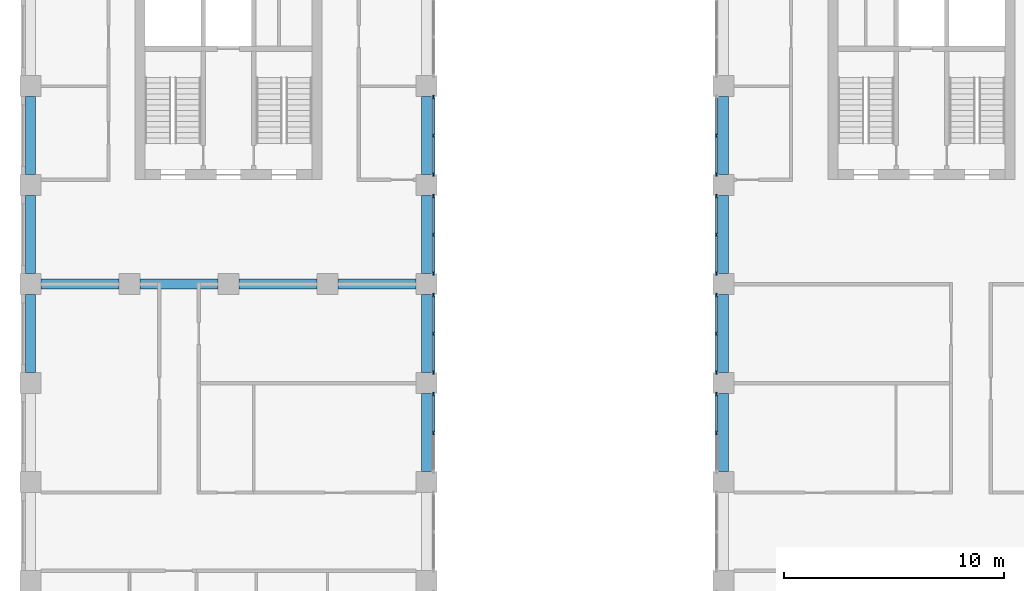
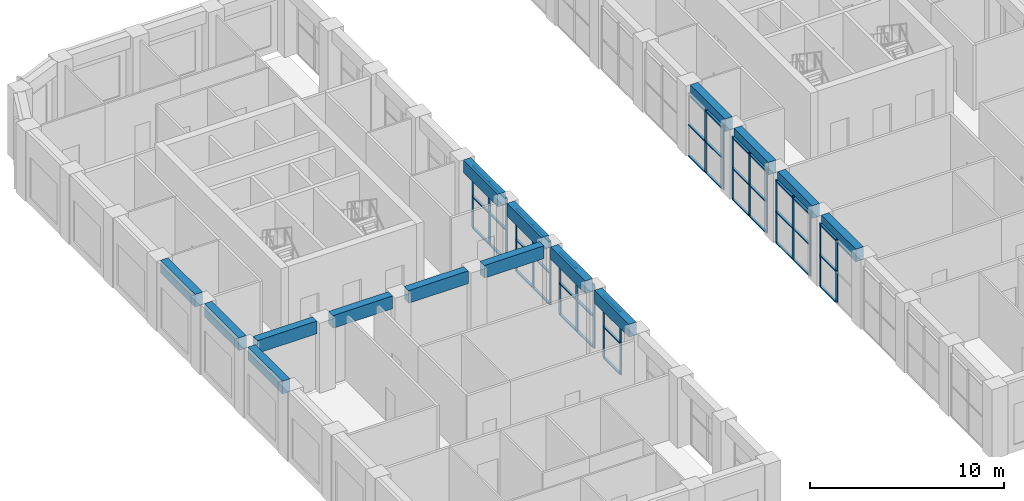
# One storey, part 3 of 19: 62 members, 15 beams, 8 elements without a shape of their own.
"""IFC4 building model written with IfcOpenShell, lengths in metres."""

import ifcopenshell
import ifcopenshell.guid

model = None  # the IFC model being written
_history = None  # IfcOwnerHistory: only IFC2X3 demands one
_inside = {}  # id of a spatial element -> (the spatial element, [elements in it])
_under = {}  # id of a project, library or spatial element -> (it, [spatial elements below it])
_declared = {}  # id of a project -> (the project, [libraries it declares])
_typed = {}  # id of a type object -> (the type object, [elements of that type])
_made_of = {}  # id of a material, layer set ... -> (it, [elements and type objects made of it])


def new_model(schema):
    """Start an empty IFC model of exactly this schema.

    Asked for "IFC4X3", IfcOpenShell would pick the latest addendum, in which some entities
    have other attributes; the version numbers below select the first issue.
    IFC2X3 requires an IfcOwnerHistory on every rooted entity: one is made here for all.
    """
    global model, _history
    if schema == "IFC4X3":
        model = ifcopenshell.file(schema_version=(4, 3, 0, 0))
    else:
        model = ifcopenshell.file(schema=schema)
    _inside.clear()
    _under.clear()
    _declared.clear()
    _typed.clear()
    _made_of.clear()
    _history = None
    if model.schema == "IFC2X3":
        org = make("IfcOrganization", Name="unknown")
        user = make(
            "IfcPersonAndOrganization",
            ThePerson=make("IfcPerson", FamilyName="unknown"),
            TheOrganization=org,
        )
        app = make(
            "IfcApplication",
            ApplicationDeveloper=org,
            Version="unknown",
            ApplicationFullName="unknown",
            ApplicationIdentifier="unknown",
        )
        _history = make(
            "IfcOwnerHistory",
            OwningUser=user,
            OwningApplication=app,
            ChangeAction="ADDED",
            CreationDate=0,
        )
    return model


def make(cls, **values):
    """One entity of the class cls with the attributes given. An attribute that is None is left unset."""
    return model.create_entity(
        cls, **{name: value for name, value in values.items() if value is not None}
    )


def rooted(cls, **values):
    """An entity with a GlobalId (a new one), such as an element, a storey or a relation."""
    return make(cls, GlobalId=ifcopenshell.guid.new(), OwnerHistory=_history, **values)


def si_unit(unit_type, name, prefix=None):
    """IfcSIUnit, for example si_unit("LENGTHUNIT", "METRE", prefix="MILLI")."""
    return make("IfcSIUnit", UnitType=unit_type, Prefix=prefix, Name=name)


def assignment(units):
    """IfcUnitAssignment: the units of a project."""
    return None if units is None else make("IfcUnitAssignment", Units=units)


def point(xyz):
    """IfcCartesianPoint."""
    return None if xyz is None else make("IfcCartesianPoint", Coordinates=xyz)


def direction(xyz):
    """IfcDirection."""
    return None if xyz is None else make("IfcDirection", DirectionRatios=xyz)


def frame(location, z_axis=None, x_axis=None):
    """IfcAxis2Placement3D, a coordinate frame: its origin and axes. An axis left out is left unset."""
    return make(
        "IfcAxis2Placement3D",
        Location=point(location),
        Axis=direction(z_axis),
        RefDirection=direction(x_axis),
    )


def frame_2d(location, x_axis=None):
    """IfcAxis2Placement2D, a coordinate frame in the plane: its origin and x axis."""
    return make(
        "IfcAxis2Placement2D", Location=point(location), RefDirection=direction(x_axis)
    )


def origin():
    """The frame at (0, 0, 0) with its axes left unset."""
    return frame((0.0, 0.0, 0.0))


def origin_2d():
    """The frame at (0, 0) in the plane with its x axis left unset."""
    return frame_2d((0.0, 0.0))


def place(relative_to, where):
    """IfcLocalPlacement: puts the frame where relative to a parent placement (None: the world)."""
    return make(
        "IfcLocalPlacement", PlacementRelTo=relative_to, RelativePlacement=where
    )


def context(
    kind, dimensions, precision=None, world=None, true_north=None, identifier=None
):
    """IfcGeometricRepresentationContext, for example the 3D "Model" context."""
    return make(
        "IfcGeometricRepresentationContext",
        ContextIdentifier=identifier,
        ContextType=kind,
        CoordinateSpaceDimension=dimensions,
        Precision=precision,
        WorldCoordinateSystem=world,
        TrueNorth=true_north,
    )


def subcontext(parent, identifier, kind, view, scale=None):
    """IfcGeometricRepresentationSubContext, for example "Body" below "Model"."""
    return make(
        "IfcGeometricRepresentationSubContext",
        ContextIdentifier=identifier,
        ContextType=kind,
        ParentContext=parent,
        TargetScale=scale,
        TargetView=view,
    )


def project(units=None, contexts=None):
    """IfcProject with its units and contexts."""
    return rooted(
        "IfcProject",
        Name="project",
        RepresentationContexts=contexts,
        UnitsInContext=assignment(units),
    )


def spatial(cls, under=None, at=None, **own):
    """A site, building, storey or space (cls), placed at a placement, below another one or the project."""
    s = rooted(cls, ObjectPlacement=at, **own)
    if under is not None:
        _under.setdefault(under.id(), (under, []))[1].append(s)
    return s


def profile(cls, at=None, kind="AREA", **sizes):
    """A parametric profile (cls). Its sizes go by their IFC names, for example OverallWidth=200.0."""
    return make(cls, ProfileType=kind, Position=at, **sizes)


def rectangle(**sizes):
    """IfcRectangleProfileDef."""
    return profile("IfcRectangleProfileDef", **sizes)


def extrude(swept, where, along, depth):
    """IfcExtrudedAreaSolid: the profile swept, set in the frame where, extruded along a direction by depth."""
    return make(
        "IfcExtrudedAreaSolid",
        SweptArea=swept,
        Position=where,
        ExtrudedDirection=direction(along),
        Depth=depth,
    )


def shape(context_of_items, identifier, shape_type, items):
    """IfcShapeRepresentation: the items that make up one representation, for example the "Body"."""
    return make(
        "IfcShapeRepresentation",
        ContextOfItems=context_of_items,
        RepresentationIdentifier=identifier,
        RepresentationType=shape_type,
        Items=items,
    )


def material(Name=None, Category=None):
    """IfcMaterial."""
    return make("IfcMaterial", Name=Name, Category=Category)


def material_profile(
    of_material, cross_section, Name=None, Category=None, Priority=None
):
    """IfcMaterialProfile: a cross section and its material."""
    return make(
        "IfcMaterialProfile",
        Name=Name,
        Material=of_material,
        Profile=cross_section,
        Priority=Priority,
        Category=Category,
    )


def profile_set(profiles, Name=None, composite=None):
    """IfcMaterialProfileSet."""
    return make(
        "IfcMaterialProfileSet",
        Name=Name,
        MaterialProfiles=profiles,
        CompositeProfile=composite,
    )


def made_of(thing, what):
    """Note that an element or type object is made of a material, layer set ...; save() writes the relation."""
    if what is not None:
        _made_of.setdefault(what.id(), (what, []))[1].append(thing)
    return thing


def type_object(cls, material=None, **own):
    """A type object (cls), such as IfcWallType, which elements share."""
    return made_of(rooted(cls, **own), material)


def element(
    cls,
    number,
    at=None,
    inside=None,
    cuts=None,
    type_object=None,
    material=None,
    context=None,
    identifier="Body",
    shape_type=None,
    held_by="IfcProductDefinitionShape",
    body=None,
    shapes=None,
    **own,
):
    """One element of the class cls, such as IfcWall. Its Tag is "e" and its number.

    at: its placement. inside: the storey or other place that contains it. cuts: it is an
    opening in that element (IfcRelVoidsElement). A single representation is given by context,
    identifier, shape_type and body (its items); several are given by shapes. held_by: the class
    of the entity that holds the representations. save() writes the other relations.
    """
    e = rooted(cls, Tag="e%d" % number, ObjectPlacement=at, **own)
    if body is not None:
        shapes = [shape(context, identifier, shape_type, body)]
    if shapes is not None:
        e.Representation = make(held_by, Representations=shapes)
    if inside is not None:
        _inside.setdefault(inside.id(), (inside, []))[1].append(e)
    if cuts is not None:
        rooted(
            "IfcRelVoidsElement", RelatingBuildingElement=cuts, RelatedOpeningElement=e
        )
    if type_object is not None:
        _typed.setdefault(type_object.id(), (type_object, []))[1].append(e)
    return made_of(e, material)


def aggregate(whole, parts):
    """IfcRelAggregates: a whole, such as a stair, and the parts it consists of."""
    return rooted("IfcRelAggregates", RelatingObject=whole, RelatedObjects=parts)


def save(model, path):
    """Write the relations noted so far, then the file.

    IfcRelAggregates (storeys below a building ...), IfcRelContainedInSpatialStructure (elements
    in a storey), IfcRelDefinesByType, IfcRelAssociatesMaterial and IfcRelDeclares: one each for
    every whole, place, type object, material and project.
    """
    for whole, parts in _under.values():
        aggregate(whole, parts)
    for where, things in _inside.values():
        rooted(
            "IfcRelContainedInSpatialStructure",
            RelatedElements=things,
            RelatingStructure=where,
        )
    for kind, things in _typed.values():
        rooted("IfcRelDefinesByType", RelatedObjects=things, RelatingType=kind)
    for what, things in _made_of.values():
        rooted("IfcRelAssociatesMaterial", RelatedObjects=things, RelatingMaterial=what)
    for by, libraries in _declared.values():
        rooted("IfcRelDeclares", RelatingContext=by, RelatedDefinitions=libraries)
    model.write(path)


model = new_model("IFC4")

# Units and contexts
model_context = context("Model", 3, precision=1e-05, world=origin(), true_north=direction((0.0, 1.0)))
body_context = subcontext(model_context, "Body", "Model", "MODEL_VIEW")
ifc_project = project(units=[si_unit("LENGTHUNIT", "METRE"), si_unit("AREAUNIT", "SQUARE_METRE"), si_unit("VOLUMEUNIT", "CUBIC_METRE"), si_unit("PLANEANGLEUNIT", "RADIAN"), si_unit("MASSUNIT", "GRAM", prefix="KILO")], contexts=[model_context])

# Site, building, storey
site_placement = place(None, origin())
site = spatial("IfcSite", under=ifc_project, at=site_placement, CompositionType="ELEMENT")
building_placement = place(site_placement, origin())
building = spatial("IfcBuilding", under=site, at=building_placement, Name="Girih Gate Residences", CompositionType="ELEMENT")
storey_placement = place(building_placement, frame((0.0, 0.0, 163.800048828125)))
storey = spatial("IfcBuildingStorey", under=building, at=storey_placement, Name="L45", CompositionType="ELEMENT", Elevation=163.800048828125)

# Curtain wall, members
ifc_material_1 = material(Name="Aluminium curtain wall frame", Category="aluminium")
curtain_wall_type = type_object("IfcCurtainWallType", Name="Curtain wall CW-7 portal lounge glazing", PredefinedType="NOTDEFINED", material=ifc_material_1)
curtain_wall_1_placement = place(storey_placement, origin())
curtain_wall_1 = element("IfcCurtainWall", 1, at=curtain_wall_1_placement, inside=storey, type_object=curtain_wall_type, Name="CW-7 Portal lounge glazing E0180_0000.3", PredefinedType="NOTDEFINED")
ifc_material_profile_1 = material_profile(ifc_material_1, rectangle(XDim=0.06005859375, YDim=0.179931640625, at=origin_2d()))
ifc_profile_set_1 = profile_set([ifc_material_profile_1], Name="Aluminium curtain wall frame")
member_type_1 = type_object("IfcMemberType", Name="Curtain wall mullion 60x180", PredefinedType="MULLION", material=ifc_profile_set_1)
member_1_placement = place(storey_placement, frame((18.31494140625, 15.75, 0.0), z_axis=(0.0, 0.0, 1.0), x_axis=(-1.0, 0.0, 0.0)))
member_1 = element("IfcMember", 2, at=member_1_placement, type_object=member_type_1, Name="CW-7 mullion 2", PredefinedType="MULLION", context=body_context, shape_type="SweptSolid", body=[
    extrude(rectangle(XDim=0.06005859375, YDim=0.179931640625, at=origin_2d()), origin(), (0.0, 0.0, 1.0), 3.949951171875),
])
member_2_placement = place(storey_placement, frame((18.31494140625, 17.4951171875, 0.0), z_axis=(0.0, 0.0, 1.0), x_axis=(-1.0, 0.0, 0.0)))
member_2 = element("IfcMember", 3, at=member_2_placement, type_object=member_type_1, Name="CW-7 mullion 3", PredefinedType="MULLION", context=body_context, shape_type="SweptSolid", body=[
    extrude(rectangle(XDim=0.06005859375, YDim=0.179931640625, at=origin_2d()), origin(), (0.0, 0.0, 1.0), 3.949951171875),
])

curtain_wall_2_placement = place(storey_placement, origin())
curtain_wall_2 = element("IfcCurtainWall", 4, at=curtain_wall_2_placement, inside=storey, type_object=curtain_wall_type, Name="CW-7 Portal lounge glazing E0180_0000.4", PredefinedType="NOTDEFINED")
member_3_placement = place(storey_placement, frame((18.31494140625, 18.5048828125, 0.0), z_axis=(0.0, 0.0, 1.0), x_axis=(-1.0, 0.0, 0.0)))
member_3 = element("IfcMember", 5, at=member_3_placement, type_object=member_type_1, Name="CW-7 mullion 1", PredefinedType="MULLION", context=body_context, shape_type="SweptSolid", body=[
    extrude(rectangle(XDim=0.06005859375, YDim=0.179931640625, at=origin_2d()), origin(), (0.0, 0.0, 1.0), 3.949951171875),
])
member_4_placement = place(storey_placement, frame((18.31494140625, 20.25, 0.0), z_axis=(0.0, 0.0, 1.0), x_axis=(-1.0, 0.0, 0.0)))
member_4 = element("IfcMember", 6, at=member_4_placement, type_object=member_type_1, Name="CW-7 mullion 2", PredefinedType="MULLION", context=body_context, shape_type="SweptSolid", body=[
    extrude(rectangle(XDim=0.06005859375, YDim=0.179931640625, at=origin_2d()), origin(), (0.0, 0.0, 1.0), 3.949951171875),
])
member_5_placement = place(storey_placement, frame((18.31494140625, 21.9951171875, 0.0), z_axis=(0.0, 0.0, 1.0), x_axis=(-1.0, 0.0, 0.0)))
member_5 = element("IfcMember", 7, at=member_5_placement, type_object=member_type_1, Name="CW-7 mullion 3", PredefinedType="MULLION", context=body_context, shape_type="SweptSolid", body=[
    extrude(rectangle(XDim=0.06005859375, YDim=0.179931640625, at=origin_2d()), origin(), (0.0, 0.0, 1.0), 3.949951171875),
])

curtain_wall_3_placement = place(storey_placement, origin())
curtain_wall_3 = element("IfcCurtainWall", 8, at=curtain_wall_3_placement, inside=storey, type_object=curtain_wall_type, Name="CW-7 Portal lounge glazing E0180_0000.5", PredefinedType="NOTDEFINED")
member_6_placement = place(storey_placement, frame((18.31494140625, 23.0048828125, 0.0), z_axis=(0.0, 0.0, 1.0), x_axis=(-1.0, 0.0, 0.0)))
member_6 = element("IfcMember", 9, at=member_6_placement, type_object=member_type_1, Name="CW-7 mullion 1", PredefinedType="MULLION", context=body_context, shape_type="SweptSolid", body=[
    extrude(rectangle(XDim=0.06005859375, YDim=0.179931640625, at=origin_2d()), origin(), (0.0, 0.0, 1.0), 3.949951171875),
])
member_7_placement = place(storey_placement, frame((18.31494140625, 24.75, 0.0), z_axis=(0.0, 0.0, 1.0), x_axis=(-1.0, 0.0, 0.0)))
member_7 = element("IfcMember", 10, at=member_7_placement, type_object=member_type_1, Name="CW-7 mullion 2", PredefinedType="MULLION", context=body_context, shape_type="SweptSolid", body=[
    extrude(rectangle(XDim=0.06005859375, YDim=0.179931640625, at=origin_2d()), origin(), (0.0, 0.0, 1.0), 3.949951171875),
])
member_8_placement = place(storey_placement, frame((18.31494140625, 26.4951171875, 0.0), z_axis=(0.0, 0.0, 1.0), x_axis=(-1.0, 0.0, 0.0)))
member_8 = element("IfcMember", 11, at=member_8_placement, type_object=member_type_1, Name="CW-7 mullion 3", PredefinedType="MULLION", context=body_context, shape_type="SweptSolid", body=[
    extrude(rectangle(XDim=0.06005859375, YDim=0.179931640625, at=origin_2d()), origin(), (0.0, 0.0, 1.0), 3.949951171875),
])

curtain_wall_4_placement = place(storey_placement, origin())
curtain_wall_4 = element("IfcCurtainWall", 12, at=curtain_wall_4_placement, inside=storey, type_object=curtain_wall_type, Name="CW-7 Portal lounge glazing E0180_0000.6", PredefinedType="NOTDEFINED")
member_9_placement = place(storey_placement, frame((18.31494140625, 27.5048828125, 0.0), z_axis=(0.0, 0.0, 1.0), x_axis=(-1.0, 0.0, 0.0)))
member_9 = element("IfcMember", 13, at=member_9_placement, type_object=member_type_1, Name="CW-7 mullion 1", PredefinedType="MULLION", context=body_context, shape_type="SweptSolid", body=[
    extrude(rectangle(XDim=0.06005859375, YDim=0.179931640625, at=origin_2d()), origin(), (0.0, 0.0, 1.0), 3.949951171875),
])
member_10_placement = place(storey_placement, frame((18.31494140625, 29.25, 0.0), z_axis=(0.0, 0.0, 1.0), x_axis=(-1.0, 0.0, 0.0)))
member_10 = element("IfcMember", 14, at=member_10_placement, type_object=member_type_1, Name="CW-7 mullion 2", PredefinedType="MULLION", context=body_context, shape_type="SweptSolid", body=[
    extrude(rectangle(XDim=0.06005859375, YDim=0.179931640625, at=origin_2d()), origin(), (0.0, 0.0, 1.0), 3.949951171875),
])
member_11_placement = place(storey_placement, frame((18.31494140625, 30.9951171875, 0.0), z_axis=(0.0, 0.0, 1.0), x_axis=(-1.0, 0.0, 0.0)))
member_11 = element("IfcMember", 15, at=member_11_placement, type_object=member_type_1, Name="CW-7 mullion 3", PredefinedType="MULLION", context=body_context, shape_type="SweptSolid", body=[
    extrude(rectangle(XDim=0.06005859375, YDim=0.179931640625, at=origin_2d()), origin(), (0.0, 0.0, 1.0), 3.949951171875),
])

curtain_wall_5_placement = place(storey_placement, origin())
curtain_wall_5 = element("IfcCurtainWall", 16, at=curtain_wall_5_placement, inside=storey, type_object=curtain_wall_type, Name="CW-7 Portal lounge glazing W0315_0495.4", PredefinedType="NOTDEFINED")
member_12_placement = place(storey_placement, frame((31.18505859375, 29.25, 0.0), z_axis=(0.0, 0.0, 1.0), x_axis=(1.0, 0.0, 0.0)))
member_12 = element("IfcMember", 17, at=member_12_placement, type_object=member_type_1, Name="CW-7 mullion 2", PredefinedType="MULLION", context=body_context, shape_type="SweptSolid", body=[
    extrude(rectangle(XDim=0.06005859375, YDim=0.179931640625, at=origin_2d()), origin(), (0.0, 0.0, 1.0), 3.949951171875),
])
member_13_placement = place(storey_placement, frame((31.18505859375, 27.5048828125, 0.0), z_axis=(0.0, 0.0, 1.0), x_axis=(1.0, 0.0, 0.0)))
member_13 = element("IfcMember", 18, at=member_13_placement, type_object=member_type_1, Name="CW-7 mullion 3", PredefinedType="MULLION", context=body_context, shape_type="SweptSolid", body=[
    extrude(rectangle(XDim=0.06005859375, YDim=0.179931640625, at=origin_2d()), origin(), (0.0, 0.0, 1.0), 3.949951171875),
])

curtain_wall_6_placement = place(storey_placement, origin())
curtain_wall_6 = element("IfcCurtainWall", 19, at=curtain_wall_6_placement, inside=storey, type_object=curtain_wall_type, Name="CW-7 Portal lounge glazing W0315_0495.5", PredefinedType="NOTDEFINED")
member_14_placement = place(storey_placement, frame((31.18505859375, 26.4951171875, 0.0), z_axis=(0.0, 0.0, 1.0), x_axis=(1.0, 0.0, 0.0)))
member_14 = element("IfcMember", 20, at=member_14_placement, type_object=member_type_1, Name="CW-7 mullion 1", PredefinedType="MULLION", context=body_context, shape_type="SweptSolid", body=[
    extrude(rectangle(XDim=0.06005859375, YDim=0.179931640625, at=origin_2d()), origin(), (0.0, 0.0, 1.0), 3.949951171875),
])
member_15_placement = place(storey_placement, frame((31.18505859375, 24.75, 0.0), z_axis=(0.0, 0.0, 1.0), x_axis=(1.0, 0.0, 0.0)))
member_15 = element("IfcMember", 21, at=member_15_placement, type_object=member_type_1, Name="CW-7 mullion 2", PredefinedType="MULLION", context=body_context, shape_type="SweptSolid", body=[
    extrude(rectangle(XDim=0.06005859375, YDim=0.179931640625, at=origin_2d()), origin(), (0.0, 0.0, 1.0), 3.949951171875),
])
member_16_placement = place(storey_placement, frame((31.18505859375, 23.0048828125, 0.0), z_axis=(0.0, 0.0, 1.0), x_axis=(1.0, 0.0, 0.0)))
member_16 = element("IfcMember", 22, at=member_16_placement, type_object=member_type_1, Name="CW-7 mullion 3", PredefinedType="MULLION", context=body_context, shape_type="SweptSolid", body=[
    extrude(rectangle(XDim=0.06005859375, YDim=0.179931640625, at=origin_2d()), origin(), (0.0, 0.0, 1.0), 3.949951171875),
])

curtain_wall_7_placement = place(storey_placement, origin())
curtain_wall_7 = element("IfcCurtainWall", 23, at=curtain_wall_7_placement, inside=storey, type_object=curtain_wall_type, Name="CW-7 Portal lounge glazing W0315_0495.6", PredefinedType="NOTDEFINED")
member_17_placement = place(storey_placement, frame((31.18505859375, 21.9951171875, 0.0), z_axis=(0.0, 0.0, 1.0), x_axis=(1.0, 0.0, 0.0)))
member_17 = element("IfcMember", 24, at=member_17_placement, type_object=member_type_1, Name="CW-7 mullion 1", PredefinedType="MULLION", context=body_context, shape_type="SweptSolid", body=[
    extrude(rectangle(XDim=0.06005859375, YDim=0.179931640625, at=origin_2d()), origin(), (0.0, 0.0, 1.0), 3.949951171875),
])
member_18_placement = place(storey_placement, frame((31.18505859375, 20.25, 0.0), z_axis=(0.0, 0.0, 1.0), x_axis=(1.0, 0.0, 0.0)))
member_18 = element("IfcMember", 25, at=member_18_placement, type_object=member_type_1, Name="CW-7 mullion 2", PredefinedType="MULLION", context=body_context, shape_type="SweptSolid", body=[
    extrude(rectangle(XDim=0.06005859375, YDim=0.179931640625, at=origin_2d()), origin(), (0.0, 0.0, 1.0), 3.949951171875),
])
member_19_placement = place(storey_placement, frame((31.18505859375, 18.5048828125, 0.0), z_axis=(0.0, 0.0, 1.0), x_axis=(1.0, 0.0, 0.0)))
member_19 = element("IfcMember", 26, at=member_19_placement, type_object=member_type_1, Name="CW-7 mullion 3", PredefinedType="MULLION", context=body_context, shape_type="SweptSolid", body=[
    extrude(rectangle(XDim=0.06005859375, YDim=0.179931640625, at=origin_2d()), origin(), (0.0, 0.0, 1.0), 3.949951171875),
])

curtain_wall_8_placement = place(storey_placement, origin())
curtain_wall_8 = element("IfcCurtainWall", 27, at=curtain_wall_8_placement, inside=storey, type_object=curtain_wall_type, Name="CW-7 Portal lounge glazing W0315_0495.7", PredefinedType="NOTDEFINED")
member_20_placement = place(storey_placement, frame((31.18505859375, 17.4951171875, 0.0), z_axis=(0.0, 0.0, 1.0), x_axis=(1.0, 0.0, 0.0)))
member_20 = element("IfcMember", 28, at=member_20_placement, type_object=member_type_1, Name="CW-7 mullion 1", PredefinedType="MULLION", context=body_context, shape_type="SweptSolid", body=[
    extrude(rectangle(XDim=0.06005859375, YDim=0.179931640625, at=origin_2d()), origin(), (0.0, 0.0, 1.0), 3.949951171875),
])
member_21_placement = place(storey_placement, frame((31.18505859375, 15.75, 0.0), z_axis=(0.0, 0.0, 1.0), x_axis=(1.0, 0.0, 0.0)))
member_21 = element("IfcMember", 29, at=member_21_placement, type_object=member_type_1, Name="CW-7 mullion 2", PredefinedType="MULLION", context=body_context, shape_type="SweptSolid", body=[
    extrude(rectangle(XDim=0.06005859375, YDim=0.179931640625, at=origin_2d()), origin(), (0.0, 0.0, 1.0), 3.949951171875),
])

# Member
ifc_material_profile_2 = material_profile(ifc_material_1, rectangle(XDim=0.139892578125, YDim=0.06005859375, at=origin_2d()))
ifc_profile_set_2 = profile_set([ifc_material_profile_2], Name="Aluminium curtain wall frame")
member_type_2 = type_object("IfcMemberType", Name="Curtain wall transom 60x140", PredefinedType="USERDEFINED", material=ifc_profile_set_2)
member_22_placement = place(storey_placement, frame((18.31494140625, 15.780029296875, 0.030029296875), z_axis=(0.0, 1.0, 0.0), x_axis=(-1.0, 0.0, 0.0)))
member_22 = element("IfcMember", 30, at=member_22_placement, type_object=member_type_2, Name="CW-7 transom 2.1", ObjectType="TRANSOM", PredefinedType="USERDEFINED", context=body_context, shape_type="SweptSolid", body=[
    extrude(rectangle(XDim=0.139892578125, YDim=0.06005859375, at=origin_2d()), origin(), (0.0, 0.0, 1.0), 1.68505859375),
])

member_23_placement = place(storey_placement, frame((18.31494140625, 15.780029296875, 1.974853515625), z_axis=(0.0, 1.0, 0.0), x_axis=(-1.0, 0.0, 0.0)))
member_23 = element("IfcMember", 31, at=member_23_placement, type_object=member_type_2, Name="CW-7 transom 2.2", ObjectType="TRANSOM", PredefinedType="USERDEFINED", context=body_context, shape_type="SweptSolid", body=[
    extrude(rectangle(XDim=0.139892578125, YDim=0.06005859375, at=origin_2d()), origin(), (0.0, 0.0, 1.0), 1.68505859375),
])

member_24_placement = place(storey_placement, frame((18.31494140625, 15.780029296875, 3.919921875), z_axis=(0.0, 1.0, 0.0), x_axis=(-1.0, 0.0, 0.0)))
member_24 = element("IfcMember", 32, at=member_24_placement, type_object=member_type_2, Name="CW-7 transom 2.3", ObjectType="TRANSOM", PredefinedType="USERDEFINED", context=body_context, shape_type="SweptSolid", body=[
    extrude(rectangle(XDim=0.139892578125, YDim=0.06005859375, at=origin_2d()), origin(), (0.0, 0.0, 1.0), 1.68505859375),
])

aggregate(curtain_wall_1, [member_1, member_2, member_22, member_23, member_24])

member_25_placement = place(storey_placement, frame((18.31494140625, 18.534912109375, 0.030029296875), z_axis=(0.0, 1.0, 0.0), x_axis=(-1.0, 0.0, 0.0)))
member_25 = element("IfcMember", 33, at=member_25_placement, type_object=member_type_2, Name="CW-7 transom 1.1", ObjectType="TRANSOM", PredefinedType="USERDEFINED", context=body_context, shape_type="SweptSolid", body=[
    extrude(rectangle(XDim=0.139892578125, YDim=0.06005859375, at=origin_2d()), origin(), (0.0, 0.0, 1.0), 1.68505859375),
])

member_26_placement = place(storey_placement, frame((18.31494140625, 18.534912109375, 1.974853515625), z_axis=(0.0, 1.0, 0.0), x_axis=(-1.0, 0.0, 0.0)))
member_26 = element("IfcMember", 34, at=member_26_placement, type_object=member_type_2, Name="CW-7 transom 1.2", ObjectType="TRANSOM", PredefinedType="USERDEFINED", context=body_context, shape_type="SweptSolid", body=[
    extrude(rectangle(XDim=0.139892578125, YDim=0.06005859375, at=origin_2d()), origin(), (0.0, 0.0, 1.0), 1.68505859375),
])

member_27_placement = place(storey_placement, frame((18.31494140625, 18.534912109375, 3.919921875), z_axis=(0.0, 1.0, 0.0), x_axis=(-1.0, 0.0, 0.0)))
member_27 = element("IfcMember", 35, at=member_27_placement, type_object=member_type_2, Name="CW-7 transom 1.3", ObjectType="TRANSOM", PredefinedType="USERDEFINED", context=body_context, shape_type="SweptSolid", body=[
    extrude(rectangle(XDim=0.139892578125, YDim=0.06005859375, at=origin_2d()), origin(), (0.0, 0.0, 1.0), 1.68505859375),
])

member_28_placement = place(storey_placement, frame((18.31494140625, 20.280029296875, 0.030029296875), z_axis=(0.0, 1.0, 0.0), x_axis=(-1.0, 0.0, 0.0)))
member_28 = element("IfcMember", 36, at=member_28_placement, type_object=member_type_2, Name="CW-7 transom 2.1", ObjectType="TRANSOM", PredefinedType="USERDEFINED", context=body_context, shape_type="SweptSolid", body=[
    extrude(rectangle(XDim=0.139892578125, YDim=0.06005859375, at=origin_2d()), origin(), (0.0, 0.0, 1.0), 1.68505859375),
])

member_29_placement = place(storey_placement, frame((18.31494140625, 20.280029296875, 1.974853515625), z_axis=(0.0, 1.0, 0.0), x_axis=(-1.0, 0.0, 0.0)))
member_29 = element("IfcMember", 37, at=member_29_placement, type_object=member_type_2, Name="CW-7 transom 2.2", ObjectType="TRANSOM", PredefinedType="USERDEFINED", context=body_context, shape_type="SweptSolid", body=[
    extrude(rectangle(XDim=0.139892578125, YDim=0.06005859375, at=origin_2d()), origin(), (0.0, 0.0, 1.0), 1.68505859375),
])

member_30_placement = place(storey_placement, frame((18.31494140625, 20.280029296875, 3.919921875), z_axis=(0.0, 1.0, 0.0), x_axis=(-1.0, 0.0, 0.0)))
member_30 = element("IfcMember", 38, at=member_30_placement, type_object=member_type_2, Name="CW-7 transom 2.3", ObjectType="TRANSOM", PredefinedType="USERDEFINED", context=body_context, shape_type="SweptSolid", body=[
    extrude(rectangle(XDim=0.139892578125, YDim=0.06005859375, at=origin_2d()), origin(), (0.0, 0.0, 1.0), 1.68505859375),
])

aggregate(curtain_wall_2, [member_3, member_4, member_5, member_25, member_26, member_27, member_28, member_29, member_30])

member_31_placement = place(storey_placement, frame((18.31494140625, 23.034912109375, 0.030029296875), z_axis=(0.0, 1.0, 0.0), x_axis=(-1.0, 0.0, 0.0)))
member_31 = element("IfcMember", 39, at=member_31_placement, type_object=member_type_2, Name="CW-7 transom 1.1", ObjectType="TRANSOM", PredefinedType="USERDEFINED", context=body_context, shape_type="SweptSolid", body=[
    extrude(rectangle(XDim=0.139892578125, YDim=0.06005859375, at=origin_2d()), origin(), (0.0, 0.0, 1.0), 1.68505859375),
])

member_32_placement = place(storey_placement, frame((18.31494140625, 23.034912109375, 1.974853515625), z_axis=(0.0, 1.0, 0.0), x_axis=(-1.0, 0.0, 0.0)))
member_32 = element("IfcMember", 40, at=member_32_placement, type_object=member_type_2, Name="CW-7 transom 1.2", ObjectType="TRANSOM", PredefinedType="USERDEFINED", context=body_context, shape_type="SweptSolid", body=[
    extrude(rectangle(XDim=0.139892578125, YDim=0.06005859375, at=origin_2d()), origin(), (0.0, 0.0, 1.0), 1.68505859375),
])

member_33_placement = place(storey_placement, frame((18.31494140625, 23.034912109375, 3.919921875), z_axis=(0.0, 1.0, 0.0), x_axis=(-1.0, 0.0, 0.0)))
member_33 = element("IfcMember", 41, at=member_33_placement, type_object=member_type_2, Name="CW-7 transom 1.3", ObjectType="TRANSOM", PredefinedType="USERDEFINED", context=body_context, shape_type="SweptSolid", body=[
    extrude(rectangle(XDim=0.139892578125, YDim=0.06005859375, at=origin_2d()), origin(), (0.0, 0.0, 1.0), 1.68505859375),
])

member_34_placement = place(storey_placement, frame((18.31494140625, 24.780029296875, 0.030029296875), z_axis=(0.0, 1.0, 0.0), x_axis=(-1.0, 0.0, 0.0)))
member_34 = element("IfcMember", 42, at=member_34_placement, type_object=member_type_2, Name="CW-7 transom 2.1", ObjectType="TRANSOM", PredefinedType="USERDEFINED", context=body_context, shape_type="SweptSolid", body=[
    extrude(rectangle(XDim=0.139892578125, YDim=0.06005859375, at=origin_2d()), origin(), (0.0, 0.0, 1.0), 1.68505859375),
])

member_35_placement = place(storey_placement, frame((18.31494140625, 24.780029296875, 1.974853515625), z_axis=(0.0, 1.0, 0.0), x_axis=(-1.0, 0.0, 0.0)))
member_35 = element("IfcMember", 43, at=member_35_placement, type_object=member_type_2, Name="CW-7 transom 2.2", ObjectType="TRANSOM", PredefinedType="USERDEFINED", context=body_context, shape_type="SweptSolid", body=[
    extrude(rectangle(XDim=0.139892578125, YDim=0.06005859375, at=origin_2d()), origin(), (0.0, 0.0, 1.0), 1.68505859375),
])

member_36_placement = place(storey_placement, frame((18.31494140625, 24.780029296875, 3.919921875), z_axis=(0.0, 1.0, 0.0), x_axis=(-1.0, 0.0, 0.0)))
member_36 = element("IfcMember", 44, at=member_36_placement, type_object=member_type_2, Name="CW-7 transom 2.3", ObjectType="TRANSOM", PredefinedType="USERDEFINED", context=body_context, shape_type="SweptSolid", body=[
    extrude(rectangle(XDim=0.139892578125, YDim=0.06005859375, at=origin_2d()), origin(), (0.0, 0.0, 1.0), 1.68505859375),
])

aggregate(curtain_wall_3, [member_6, member_7, member_8, member_31, member_32, member_33, member_34, member_35, member_36])

member_37_placement = place(storey_placement, frame((18.31494140625, 27.534912109375, 0.030029296875), z_axis=(0.0, 1.0, 0.0), x_axis=(-1.0, 0.0, 0.0)))
member_37 = element("IfcMember", 45, at=member_37_placement, type_object=member_type_2, Name="CW-7 transom 1.1", ObjectType="TRANSOM", PredefinedType="USERDEFINED", context=body_context, shape_type="SweptSolid", body=[
    extrude(rectangle(XDim=0.139892578125, YDim=0.06005859375, at=origin_2d()), origin(), (0.0, 0.0, 1.0), 1.68505859375),
])

member_38_placement = place(storey_placement, frame((18.31494140625, 27.534912109375, 1.974853515625), z_axis=(0.0, 1.0, 0.0), x_axis=(-1.0, 0.0, 0.0)))
member_38 = element("IfcMember", 46, at=member_38_placement, type_object=member_type_2, Name="CW-7 transom 1.2", ObjectType="TRANSOM", PredefinedType="USERDEFINED", context=body_context, shape_type="SweptSolid", body=[
    extrude(rectangle(XDim=0.139892578125, YDim=0.06005859375, at=origin_2d()), origin(), (0.0, 0.0, 1.0), 1.68505859375),
])

member_39_placement = place(storey_placement, frame((18.31494140625, 27.534912109375, 3.919921875), z_axis=(0.0, 1.0, 0.0), x_axis=(-1.0, 0.0, 0.0)))
member_39 = element("IfcMember", 47, at=member_39_placement, type_object=member_type_2, Name="CW-7 transom 1.3", ObjectType="TRANSOM", PredefinedType="USERDEFINED", context=body_context, shape_type="SweptSolid", body=[
    extrude(rectangle(XDim=0.139892578125, YDim=0.06005859375, at=origin_2d()), origin(), (0.0, 0.0, 1.0), 1.68505859375),
])

member_40_placement = place(storey_placement, frame((18.31494140625, 29.280029296875, 0.030029296875), z_axis=(0.0, 1.0, 0.0), x_axis=(-1.0, 0.0, 0.0)))
member_40 = element("IfcMember", 48, at=member_40_placement, type_object=member_type_2, Name="CW-7 transom 2.1", ObjectType="TRANSOM", PredefinedType="USERDEFINED", context=body_context, shape_type="SweptSolid", body=[
    extrude(rectangle(XDim=0.139892578125, YDim=0.06005859375, at=origin_2d()), origin(), (0.0, 0.0, 1.0), 1.68505859375),
])

member_41_placement = place(storey_placement, frame((18.31494140625, 29.280029296875, 1.974853515625), z_axis=(0.0, 1.0, 0.0), x_axis=(-1.0, 0.0, 0.0)))
member_41 = element("IfcMember", 49, at=member_41_placement, type_object=member_type_2, Name="CW-7 transom 2.2", ObjectType="TRANSOM", PredefinedType="USERDEFINED", context=body_context, shape_type="SweptSolid", body=[
    extrude(rectangle(XDim=0.139892578125, YDim=0.06005859375, at=origin_2d()), origin(), (0.0, 0.0, 1.0), 1.68505859375),
])

member_42_placement = place(storey_placement, frame((18.31494140625, 29.280029296875, 3.919921875), z_axis=(0.0, 1.0, 0.0), x_axis=(-1.0, 0.0, 0.0)))
member_42 = element("IfcMember", 50, at=member_42_placement, type_object=member_type_2, Name="CW-7 transom 2.3", ObjectType="TRANSOM", PredefinedType="USERDEFINED", context=body_context, shape_type="SweptSolid", body=[
    extrude(rectangle(XDim=0.139892578125, YDim=0.06005859375, at=origin_2d()), origin(), (0.0, 0.0, 1.0), 1.68505859375),
])

aggregate(curtain_wall_4, [member_9, member_10, member_11, member_37, member_38, member_39, member_40, member_41, member_42])

member_43_placement = place(storey_placement, frame((31.18505859375, 30.965087890625, 0.030029296875), z_axis=(0.0, -1.0, 0.0), x_axis=(1.0, 0.0, 0.0)))
member_43 = element("IfcMember", 51, at=member_43_placement, type_object=member_type_2, Name="CW-7 transom 1.1", ObjectType="TRANSOM", PredefinedType="USERDEFINED", context=body_context, shape_type="SweptSolid", body=[
    extrude(rectangle(XDim=0.139892578125, YDim=0.06005859375, at=origin_2d()), origin(), (0.0, 0.0, 1.0), 1.68505859375),
])

member_44_placement = place(storey_placement, frame((31.18505859375, 30.965087890625, 1.974853515625), z_axis=(0.0, -1.0, 0.0), x_axis=(1.0, 0.0, 0.0)))
member_44 = element("IfcMember", 52, at=member_44_placement, type_object=member_type_2, Name="CW-7 transom 1.2", ObjectType="TRANSOM", PredefinedType="USERDEFINED", context=body_context, shape_type="SweptSolid", body=[
    extrude(rectangle(XDim=0.139892578125, YDim=0.06005859375, at=origin_2d()), origin(), (0.0, 0.0, 1.0), 1.68505859375),
])

member_45_placement = place(storey_placement, frame((31.18505859375, 29.219970703125, 0.030029296875), z_axis=(0.0, -1.0, 0.0), x_axis=(1.0, 0.0, 0.0)))
member_45 = element("IfcMember", 53, at=member_45_placement, type_object=member_type_2, Name="CW-7 transom 2.1", ObjectType="TRANSOM", PredefinedType="USERDEFINED", context=body_context, shape_type="SweptSolid", body=[
    extrude(rectangle(XDim=0.139892578125, YDim=0.06005859375, at=origin_2d()), origin(), (0.0, 0.0, 1.0), 1.68505859375),
])

member_46_placement = place(storey_placement, frame((31.18505859375, 29.219970703125, 1.974853515625), z_axis=(0.0, -1.0, 0.0), x_axis=(1.0, 0.0, 0.0)))
member_46 = element("IfcMember", 54, at=member_46_placement, type_object=member_type_2, Name="CW-7 transom 2.2", ObjectType="TRANSOM", PredefinedType="USERDEFINED", context=body_context, shape_type="SweptSolid", body=[
    extrude(rectangle(XDim=0.139892578125, YDim=0.06005859375, at=origin_2d()), origin(), (0.0, 0.0, 1.0), 1.68505859375),
])

member_47_placement = place(storey_placement, frame((31.18505859375, 29.219970703125, 3.919921875), z_axis=(0.0, -1.0, 0.0), x_axis=(1.0, 0.0, 0.0)))
member_47 = element("IfcMember", 55, at=member_47_placement, type_object=member_type_2, Name="CW-7 transom 2.3", ObjectType="TRANSOM", PredefinedType="USERDEFINED", context=body_context, shape_type="SweptSolid", body=[
    extrude(rectangle(XDim=0.139892578125, YDim=0.06005859375, at=origin_2d()), origin(), (0.0, 0.0, 1.0), 1.68505859375),
])

aggregate(curtain_wall_5, [member_12, member_13, member_43, member_44, member_45, member_46, member_47])

member_48_placement = place(storey_placement, frame((31.18505859375, 26.465087890625, 0.030029296875), z_axis=(0.0, -1.0, 0.0), x_axis=(1.0, 0.0, 0.0)))
member_48 = element("IfcMember", 56, at=member_48_placement, type_object=member_type_2, Name="CW-7 transom 1.1", ObjectType="TRANSOM", PredefinedType="USERDEFINED", context=body_context, shape_type="SweptSolid", body=[
    extrude(rectangle(XDim=0.139892578125, YDim=0.06005859375, at=origin_2d()), origin(), (0.0, 0.0, 1.0), 1.68505859375),
])

member_49_placement = place(storey_placement, frame((31.18505859375, 26.465087890625, 1.974853515625), z_axis=(0.0, -1.0, 0.0), x_axis=(1.0, 0.0, 0.0)))
member_49 = element("IfcMember", 57, at=member_49_placement, type_object=member_type_2, Name="CW-7 transom 1.2", ObjectType="TRANSOM", PredefinedType="USERDEFINED", context=body_context, shape_type="SweptSolid", body=[
    extrude(rectangle(XDim=0.139892578125, YDim=0.06005859375, at=origin_2d()), origin(), (0.0, 0.0, 1.0), 1.68505859375),
])

member_50_placement = place(storey_placement, frame((31.18505859375, 26.465087890625, 3.919921875), z_axis=(0.0, -1.0, 0.0), x_axis=(1.0, 0.0, 0.0)))
member_50 = element("IfcMember", 58, at=member_50_placement, type_object=member_type_2, Name="CW-7 transom 1.3", ObjectType="TRANSOM", PredefinedType="USERDEFINED", context=body_context, shape_type="SweptSolid", body=[
    extrude(rectangle(XDim=0.139892578125, YDim=0.06005859375, at=origin_2d()), origin(), (0.0, 0.0, 1.0), 1.68505859375),
])

member_51_placement = place(storey_placement, frame((31.18505859375, 24.719970703125, 0.030029296875), z_axis=(0.0, -1.0, 0.0), x_axis=(1.0, 0.0, 0.0)))
member_51 = element("IfcMember", 59, at=member_51_placement, type_object=member_type_2, Name="CW-7 transom 2.1", ObjectType="TRANSOM", PredefinedType="USERDEFINED", context=body_context, shape_type="SweptSolid", body=[
    extrude(rectangle(XDim=0.139892578125, YDim=0.06005859375, at=origin_2d()), origin(), (0.0, 0.0, 1.0), 1.68505859375),
])

member_52_placement = place(storey_placement, frame((31.18505859375, 24.719970703125, 1.974853515625), z_axis=(0.0, -1.0, 0.0), x_axis=(1.0, 0.0, 0.0)))
member_52 = element("IfcMember", 60, at=member_52_placement, type_object=member_type_2, Name="CW-7 transom 2.2", ObjectType="TRANSOM", PredefinedType="USERDEFINED", context=body_context, shape_type="SweptSolid", body=[
    extrude(rectangle(XDim=0.139892578125, YDim=0.06005859375, at=origin_2d()), origin(), (0.0, 0.0, 1.0), 1.68505859375),
])

member_53_placement = place(storey_placement, frame((31.18505859375, 24.719970703125, 3.919921875), z_axis=(0.0, -1.0, 0.0), x_axis=(1.0, 0.0, 0.0)))
member_53 = element("IfcMember", 61, at=member_53_placement, type_object=member_type_2, Name="CW-7 transom 2.3", ObjectType="TRANSOM", PredefinedType="USERDEFINED", context=body_context, shape_type="SweptSolid", body=[
    extrude(rectangle(XDim=0.139892578125, YDim=0.06005859375, at=origin_2d()), origin(), (0.0, 0.0, 1.0), 1.68505859375),
])

aggregate(curtain_wall_6, [member_14, member_15, member_16, member_48, member_49, member_50, member_51, member_52, member_53])

member_54_placement = place(storey_placement, frame((31.18505859375, 21.965087890625, 0.030029296875), z_axis=(0.0, -1.0, 0.0), x_axis=(1.0, 0.0, 0.0)))
member_54 = element("IfcMember", 62, at=member_54_placement, type_object=member_type_2, Name="CW-7 transom 1.1", ObjectType="TRANSOM", PredefinedType="USERDEFINED", context=body_context, shape_type="SweptSolid", body=[
    extrude(rectangle(XDim=0.139892578125, YDim=0.06005859375, at=origin_2d()), origin(), (0.0, 0.0, 1.0), 1.68505859375),
])

member_55_placement = place(storey_placement, frame((31.18505859375, 21.965087890625, 1.974853515625), z_axis=(0.0, -1.0, 0.0), x_axis=(1.0, 0.0, 0.0)))
member_55 = element("IfcMember", 63, at=member_55_placement, type_object=member_type_2, Name="CW-7 transom 1.2", ObjectType="TRANSOM", PredefinedType="USERDEFINED", context=body_context, shape_type="SweptSolid", body=[
    extrude(rectangle(XDim=0.139892578125, YDim=0.06005859375, at=origin_2d()), origin(), (0.0, 0.0, 1.0), 1.68505859375),
])

member_56_placement = place(storey_placement, frame((31.18505859375, 21.965087890625, 3.919921875), z_axis=(0.0, -1.0, 0.0), x_axis=(1.0, 0.0, 0.0)))
member_56 = element("IfcMember", 64, at=member_56_placement, type_object=member_type_2, Name="CW-7 transom 1.3", ObjectType="TRANSOM", PredefinedType="USERDEFINED", context=body_context, shape_type="SweptSolid", body=[
    extrude(rectangle(XDim=0.139892578125, YDim=0.06005859375, at=origin_2d()), origin(), (0.0, 0.0, 1.0), 1.68505859375),
])

member_57_placement = place(storey_placement, frame((31.18505859375, 20.219970703125, 0.030029296875), z_axis=(0.0, -1.0, 0.0), x_axis=(1.0, 0.0, 0.0)))
member_57 = element("IfcMember", 65, at=member_57_placement, type_object=member_type_2, Name="CW-7 transom 2.1", ObjectType="TRANSOM", PredefinedType="USERDEFINED", context=body_context, shape_type="SweptSolid", body=[
    extrude(rectangle(XDim=0.139892578125, YDim=0.06005859375, at=origin_2d()), origin(), (0.0, 0.0, 1.0), 1.68505859375),
])

member_58_placement = place(storey_placement, frame((31.18505859375, 20.219970703125, 1.974853515625), z_axis=(0.0, -1.0, 0.0), x_axis=(1.0, 0.0, 0.0)))
member_58 = element("IfcMember", 66, at=member_58_placement, type_object=member_type_2, Name="CW-7 transom 2.2", ObjectType="TRANSOM", PredefinedType="USERDEFINED", context=body_context, shape_type="SweptSolid", body=[
    extrude(rectangle(XDim=0.139892578125, YDim=0.06005859375, at=origin_2d()), origin(), (0.0, 0.0, 1.0), 1.68505859375),
])

member_59_placement = place(storey_placement, frame((31.18505859375, 20.219970703125, 3.919921875), z_axis=(0.0, -1.0, 0.0), x_axis=(1.0, 0.0, 0.0)))
member_59 = element("IfcMember", 67, at=member_59_placement, type_object=member_type_2, Name="CW-7 transom 2.3", ObjectType="TRANSOM", PredefinedType="USERDEFINED", context=body_context, shape_type="SweptSolid", body=[
    extrude(rectangle(XDim=0.139892578125, YDim=0.06005859375, at=origin_2d()), origin(), (0.0, 0.0, 1.0), 1.68505859375),
])

aggregate(curtain_wall_7, [member_17, member_18, member_19, member_54, member_55, member_56, member_57, member_58, member_59])

member_60_placement = place(storey_placement, frame((31.18505859375, 17.465087890625, 0.030029296875), z_axis=(0.0, -1.0, 0.0), x_axis=(1.0, 0.0, 0.0)))
member_60 = element("IfcMember", 68, at=member_60_placement, type_object=member_type_2, Name="CW-7 transom 1.1", ObjectType="TRANSOM", PredefinedType="USERDEFINED", context=body_context, shape_type="SweptSolid", body=[
    extrude(rectangle(XDim=0.139892578125, YDim=0.06005859375, at=origin_2d()), origin(), (0.0, 0.0, 1.0), 1.68505859375),
])

member_61_placement = place(storey_placement, frame((31.18505859375, 17.465087890625, 1.974853515625), z_axis=(0.0, -1.0, 0.0), x_axis=(1.0, 0.0, 0.0)))
member_61 = element("IfcMember", 69, at=member_61_placement, type_object=member_type_2, Name="CW-7 transom 1.2", ObjectType="TRANSOM", PredefinedType="USERDEFINED", context=body_context, shape_type="SweptSolid", body=[
    extrude(rectangle(XDim=0.139892578125, YDim=0.06005859375, at=origin_2d()), origin(), (0.0, 0.0, 1.0), 1.68505859375),
])

member_62_placement = place(storey_placement, frame((31.18505859375, 17.465087890625, 3.919921875), z_axis=(0.0, -1.0, 0.0), x_axis=(1.0, 0.0, 0.0)))
member_62 = element("IfcMember", 70, at=member_62_placement, type_object=member_type_2, Name="CW-7 transom 1.3", ObjectType="TRANSOM", PredefinedType="USERDEFINED", context=body_context, shape_type="SweptSolid", body=[
    extrude(rectangle(XDim=0.139892578125, YDim=0.06005859375, at=origin_2d()), origin(), (0.0, 0.0, 1.0), 1.68505859375),
])

aggregate(curtain_wall_8, [member_20, member_21, member_60, member_61, member_62])

# Beams
ifc_material_2 = material(Name="Concrete C60/75", Category="concrete")
ifc_material_profile_3 = material_profile(ifc_material_2, rectangle(XDim=0.449951171875, YDim=0.800048828125, at=origin_2d()))
ifc_profile_set_3 = profile_set([ifc_material_profile_3], Name="Concrete C60/75")
beam_type = type_object("IfcBeamType", Name="Spandrel girder RC 450x800 Concrete C60/75", PredefinedType="BEAM", material=ifc_profile_set_3)
for number, where, z_axis, x_axis, name in (
    (71, (0.0, 31.02490234375, 4.0), (0.0, -1.0, 0.0), (1.0, 0.0, 0.0), "Spandrel girder SP-P1H-P1G L45"),
    (72, (0.0, 26.52490234375, 4.0), (0.0, -1.0, 0.0), (1.0, 0.0, 0.0), "Spandrel girder SP-P1G-P1F L45"),
    (73, (0.0, 22.02490234375, 4.0), (0.0, -1.0, 0.0), (1.0, 0.0, 0.0), "Spandrel girder SP-P1F-P1E L45"),
    (74, (18.0, 13.97509765625, 4.0), (0.0, 1.0, 0.0), (-1.0, 0.0, 0.0), "Spandrel girder SP-P5D-P5E L45"),
    (75, (18.0, 18.47509765625, 4.0), (0.0, 1.0, 0.0), (-1.0, 0.0, 0.0), "Spandrel girder SP-P5E-P5F L45"),
    (76, (18.0, 22.97509765625, 4.0), (0.0, 1.0, 0.0), (-1.0, 0.0, 0.0), "Spandrel girder SP-P5F-P5G L45"),
    (77, (18.0, 27.47509765625, 4.0), (0.0, 1.0, 0.0), (-1.0, 0.0, 0.0), "Spandrel girder SP-P5G-P5H L45"),
    (78, (31.5, 31.02490234375, 4.0), (0.0, -1.0, 0.0), (1.0, 0.0, 0.0), "Spandrel girder SP-P8H-P8G L45"),
    (79, (31.5, 26.52490234375, 4.0), (0.0, -1.0, 0.0), (1.0, 0.0, 0.0), "Spandrel girder SP-P8G-P8F L45"),
    (80, (31.5, 22.02490234375, 4.0), (0.0, -1.0, 0.0), (1.0, 0.0, 0.0), "Spandrel girder SP-P8F-P8E L45"),
    (81, (31.5, 17.52490234375, 4.0), (0.0, -1.0, 0.0), (1.0, 0.0, 0.0), "Spandrel girder SP-P8E-P8D L45"),
    (82, (0.47509765625, 22.5, 4.0), (1.0, 0.0, 0.0), (0.0, 1.0, 0.0), "Spandrel girder SP-P1F-P2F L45"),
    (83, (4.97509765625, 22.5, 4.0), (1.0, 0.0, 0.0), (0.0, 1.0, 0.0), "Spandrel girder SP-P2F-P3F L45"),
    (84, (9.47509765625, 22.5, 4.0), (1.0, 0.0, 0.0), (0.0, 1.0, 0.0), "Spandrel girder SP-P3F-P4F L45"),
    (85, (13.97509765625, 22.5, 4.0), (1.0, 0.0, 0.0), (0.0, 1.0, 0.0), "Spandrel girder SP-P4F-P5F L45"),
):
    element("IfcBeam", number, at=place(storey_placement, frame(where, z_axis=z_axis, x_axis=x_axis)), inside=storey, type_object=beam_type, Name=name, PredefinedType="BEAM", context=body_context, shape_type="SweptSolid", body=[
        extrude(rectangle(XDim=0.449951171875, YDim=0.800048828125, at=origin_2d()), origin(), (0.0, 0.0, 1.0), 3.5498046875),
    ])

save(model, "model.ifc")
